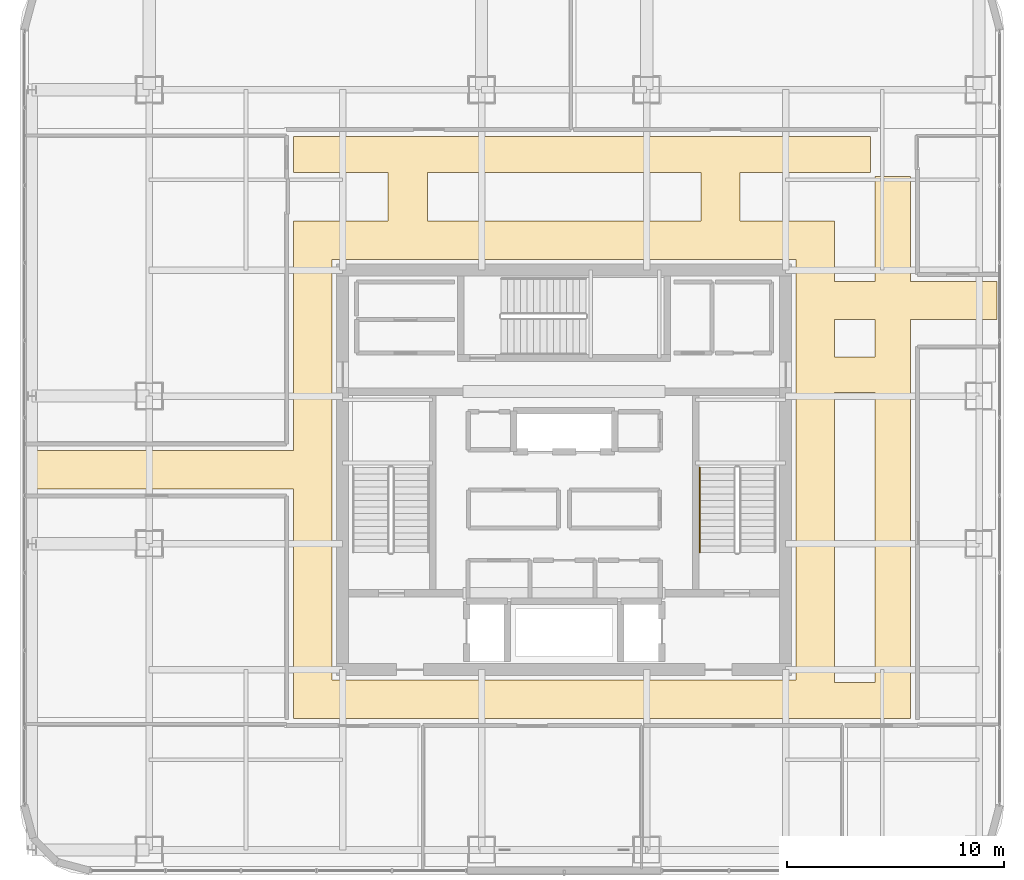
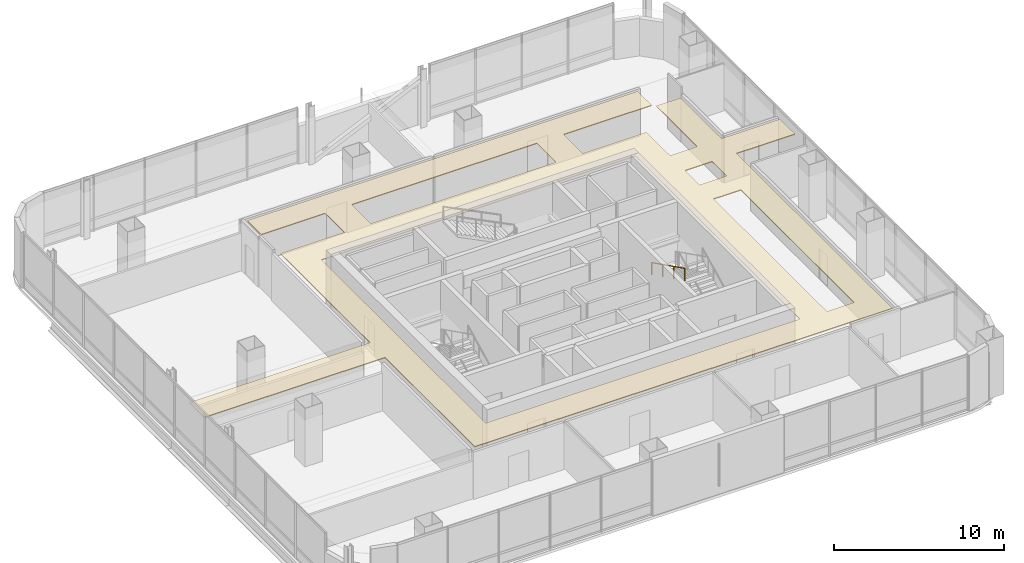
# One storey, part 39 of 43: 1 covering, 1 railing.
"""IFC4 building model written with IfcOpenShell, lengths in metres."""

import ifcopenshell
import ifcopenshell.guid

model = None  # the IFC model being written
_history = None  # IfcOwnerHistory: only IFC2X3 demands one
_inside = {}  # id of a spatial element -> (the spatial element, [elements in it])
_under = {}  # id of a project, library or spatial element -> (it, [spatial elements below it])
_declared = {}  # id of a project -> (the project, [libraries it declares])
_typed = {}  # id of a type object -> (the type object, [elements of that type])
_made_of = {}  # id of a material, layer set ... -> (it, [elements and type objects made of it])


def new_model(schema):
    """Start an empty IFC model of exactly this schema.

    Asked for "IFC4X3", IfcOpenShell would pick the latest addendum, in which some entities
    have other attributes; the version numbers below select the first issue.
    IFC2X3 requires an IfcOwnerHistory on every rooted entity: one is made here for all.
    """
    global model, _history
    if schema == "IFC4X3":
        model = ifcopenshell.file(schema_version=(4, 3, 0, 0))
    else:
        model = ifcopenshell.file(schema=schema)
    _inside.clear()
    _under.clear()
    _declared.clear()
    _typed.clear()
    _made_of.clear()
    _history = None
    if model.schema == "IFC2X3":
        org = make("IfcOrganization", Name="unknown")
        user = make(
            "IfcPersonAndOrganization",
            ThePerson=make("IfcPerson", FamilyName="unknown"),
            TheOrganization=org,
        )
        app = make(
            "IfcApplication",
            ApplicationDeveloper=org,
            Version="unknown",
            ApplicationFullName="unknown",
            ApplicationIdentifier="unknown",
        )
        _history = make(
            "IfcOwnerHistory",
            OwningUser=user,
            OwningApplication=app,
            ChangeAction="ADDED",
            CreationDate=0,
        )
    return model


def make(cls, **values):
    """One entity of the class cls with the attributes given. An attribute that is None is left unset."""
    return model.create_entity(
        cls, **{name: value for name, value in values.items() if value is not None}
    )


def rooted(cls, **values):
    """An entity with a GlobalId (a new one), such as an element, a storey or a relation."""
    return make(cls, GlobalId=ifcopenshell.guid.new(), OwnerHistory=_history, **values)


def si_unit(unit_type, name, prefix=None):
    """IfcSIUnit, for example si_unit("LENGTHUNIT", "METRE", prefix="MILLI")."""
    return make("IfcSIUnit", UnitType=unit_type, Prefix=prefix, Name=name)


def assignment(units):
    """IfcUnitAssignment: the units of a project."""
    return None if units is None else make("IfcUnitAssignment", Units=units)


def point(xyz):
    """IfcCartesianPoint."""
    return None if xyz is None else make("IfcCartesianPoint", Coordinates=xyz)


def direction(xyz):
    """IfcDirection."""
    return None if xyz is None else make("IfcDirection", DirectionRatios=xyz)


def frame(location, z_axis=None, x_axis=None):
    """IfcAxis2Placement3D, a coordinate frame: its origin and axes. An axis left out is left unset."""
    return make(
        "IfcAxis2Placement3D",
        Location=point(location),
        Axis=direction(z_axis),
        RefDirection=direction(x_axis),
    )


def frame_2d(location, x_axis=None):
    """IfcAxis2Placement2D, a coordinate frame in the plane: its origin and x axis."""
    return make(
        "IfcAxis2Placement2D", Location=point(location), RefDirection=direction(x_axis)
    )


def origin():
    """The frame at (0, 0, 0) with its axes left unset."""
    return frame((0.0, 0.0, 0.0))


def origin_2d():
    """The frame at (0, 0) in the plane with its x axis left unset."""
    return frame_2d((0.0, 0.0))


def place(relative_to, where):
    """IfcLocalPlacement: puts the frame where relative to a parent placement (None: the world)."""
    return make(
        "IfcLocalPlacement", PlacementRelTo=relative_to, RelativePlacement=where
    )


def context(
    kind, dimensions, precision=None, world=None, true_north=None, identifier=None
):
    """IfcGeometricRepresentationContext, for example the 3D "Model" context."""
    return make(
        "IfcGeometricRepresentationContext",
        ContextIdentifier=identifier,
        ContextType=kind,
        CoordinateSpaceDimension=dimensions,
        Precision=precision,
        WorldCoordinateSystem=world,
        TrueNorth=true_north,
    )


def subcontext(parent, identifier, kind, view, scale=None):
    """IfcGeometricRepresentationSubContext, for example "Body" below "Model"."""
    return make(
        "IfcGeometricRepresentationSubContext",
        ContextIdentifier=identifier,
        ContextType=kind,
        ParentContext=parent,
        TargetScale=scale,
        TargetView=view,
    )


def project(units=None, contexts=None):
    """IfcProject with its units and contexts."""
    return rooted(
        "IfcProject",
        Name="project",
        RepresentationContexts=contexts,
        UnitsInContext=assignment(units),
    )


def spatial(cls, under=None, at=None, **own):
    """A site, building, storey or space (cls), placed at a placement, below another one or the project."""
    s = rooted(cls, ObjectPlacement=at, **own)
    if under is not None:
        _under.setdefault(under.id(), (under, []))[1].append(s)
    return s


def polyline(points):
    """IfcPolyline through the points."""
    return make("IfcPolyline", Points=[point(p) for p in points])


def profile(cls, at=None, kind="AREA", **sizes):
    """A parametric profile (cls). Its sizes go by their IFC names, for example OverallWidth=200.0."""
    return make(cls, ProfileType=kind, Position=at, **sizes)


def circle(**sizes):
    """IfcCircleProfileDef."""
    return profile("IfcCircleProfileDef", **sizes)


def outline(outer, holes=None, kind="AREA"):
    """IfcArbitraryClosedProfileDef: a profile drawn as a closed curve; with holes, ...WithVoids."""
    if holes is None:
        return make("IfcArbitraryClosedProfileDef", ProfileType=kind, OuterCurve=outer)
    return make(
        "IfcArbitraryProfileDefWithVoids",
        ProfileType=kind,
        OuterCurve=outer,
        InnerCurves=holes,
    )


def extrude(swept, where, along, depth):
    """IfcExtrudedAreaSolid: the profile swept, set in the frame where, extruded along a direction by depth."""
    return make(
        "IfcExtrudedAreaSolid",
        SweptArea=swept,
        Position=where,
        ExtrudedDirection=direction(along),
        Depth=depth,
    )


def shape(context_of_items, identifier, shape_type, items):
    """IfcShapeRepresentation: the items that make up one representation, for example the "Body"."""
    return make(
        "IfcShapeRepresentation",
        ContextOfItems=context_of_items,
        RepresentationIdentifier=identifier,
        RepresentationType=shape_type,
        Items=items,
    )


def material(Name=None, Category=None):
    """IfcMaterial."""
    return make("IfcMaterial", Name=Name, Category=Category)


def layer(
    of_material, thickness, ventilated=None, Name=None, Category=None, Priority=None
):
    """IfcMaterialLayer: one layer of a wall or slab, of a material (None: an air gap)."""
    return make(
        "IfcMaterialLayer",
        Material=of_material,
        LayerThickness=thickness,
        IsVentilated=ventilated,
        Name=Name,
        Category=Category,
        Priority=Priority,
    )


def layer_set(layers, Name=None):
    """IfcMaterialLayerSet."""
    return make("IfcMaterialLayerSet", MaterialLayers=layers, LayerSetName=Name)


def made_of(thing, what):
    """Note that an element or type object is made of a material, layer set ...; save() writes the relation."""
    if what is not None:
        _made_of.setdefault(what.id(), (what, []))[1].append(thing)
    return thing


def type_object(cls, material=None, **own):
    """A type object (cls), such as IfcWallType, which elements share."""
    return made_of(rooted(cls, **own), material)


def element(
    cls,
    number,
    at=None,
    inside=None,
    cuts=None,
    type_object=None,
    material=None,
    context=None,
    identifier="Body",
    shape_type=None,
    held_by="IfcProductDefinitionShape",
    body=None,
    shapes=None,
    **own,
):
    """One element of the class cls, such as IfcWall. Its Tag is "e" and its number.

    at: its placement. inside: the storey or other place that contains it. cuts: it is an
    opening in that element (IfcRelVoidsElement). A single representation is given by context,
    identifier, shape_type and body (its items); several are given by shapes. held_by: the class
    of the entity that holds the representations. save() writes the other relations.
    """
    e = rooted(cls, Tag="e%d" % number, ObjectPlacement=at, **own)
    if body is not None:
        shapes = [shape(context, identifier, shape_type, body)]
    if shapes is not None:
        e.Representation = make(held_by, Representations=shapes)
    if inside is not None:
        _inside.setdefault(inside.id(), (inside, []))[1].append(e)
    if cuts is not None:
        rooted(
            "IfcRelVoidsElement", RelatingBuildingElement=cuts, RelatedOpeningElement=e
        )
    if type_object is not None:
        _typed.setdefault(type_object.id(), (type_object, []))[1].append(e)
    return made_of(e, material)


def aggregate(whole, parts):
    """IfcRelAggregates: a whole, such as a stair, and the parts it consists of."""
    return rooted("IfcRelAggregates", RelatingObject=whole, RelatedObjects=parts)


def save(model, path):
    """Write the relations noted so far, then the file.

    IfcRelAggregates (storeys below a building ...), IfcRelContainedInSpatialStructure (elements
    in a storey), IfcRelDefinesByType, IfcRelAssociatesMaterial and IfcRelDeclares: one each for
    every whole, place, type object, material and project.
    """
    for whole, parts in _under.values():
        aggregate(whole, parts)
    for where, things in _inside.values():
        rooted(
            "IfcRelContainedInSpatialStructure",
            RelatedElements=things,
            RelatingStructure=where,
        )
    for kind, things in _typed.values():
        rooted("IfcRelDefinesByType", RelatedObjects=things, RelatingType=kind)
    for what, things in _made_of.values():
        rooted("IfcRelAssociatesMaterial", RelatedObjects=things, RelatingMaterial=what)
    for by, libraries in _declared.values():
        rooted("IfcRelDeclares", RelatingContext=by, RelatedDefinitions=libraries)
    model.write(path)


model = new_model("IFC4")

# Units and contexts
model_context = context("Model", 3, precision=1e-05, world=origin(), true_north=direction((0.0, 1.0)))
body_context = subcontext(model_context, "Body", "Model", "MODEL_VIEW")
ifc_project = project(units=[si_unit("LENGTHUNIT", "METRE"), si_unit("AREAUNIT", "SQUARE_METRE"), si_unit("VOLUMEUNIT", "CUBIC_METRE"), si_unit("PLANEANGLEUNIT", "RADIAN"), si_unit("MASSUNIT", "GRAM", prefix="KILO")], contexts=[model_context])

# Site, building, storey
site_placement = place(None, origin())
site = spatial("IfcSite", under=ifc_project, at=site_placement, CompositionType="ELEMENT")
building_placement = place(site_placement, origin())
building = spatial("IfcBuilding", under=site, at=building_placement, Name="Punatoya Terracotta Tower", CompositionType="ELEMENT")
storey_placement = place(building_placement, frame((0.0, 0.0, 300.60009765625)))
storey = spatial("IfcBuildingStorey", under=building, at=storey_placement, Name="L71", CompositionType="ELEMENT", Elevation=300.60009765625)

# Covering
ifc_material_1 = material(Name="Acoustic Mineral Fibre Ceiling")
ifc_layer = layer(ifc_material_1, 0.06005859375)
ifc_layer_set = layer_set([ifc_layer], Name="Acoustic Mineral Fibre Ceiling")
covering_type = type_object("IfcCoveringType", Name="COV-CEIL-60", PredefinedType="CEILING", material=ifc_layer_set)
covering_placement = place(storey_placement, frame((0.0, 0.0, 3.389892578125)))
element("IfcCovering", 1, at=covering_placement, inside=storey, type_object=covering_type, Name="L71 Executive Circulation Corridor Acoustic Ceiling", PredefinedType="CEILING", context=body_context, shape_type="SweptSolid", body=[
    extrude(outline(polyline([(-12.449951171875, 13.699951171875), (-8.10009765625, 13.699951171875), (-8.10009765625, 11.449951171875), (-12.449951171875, 11.449951171875), (-12.449951171875, 0.8798828125), (-24.72998046875, 0.8798828125), (-24.72998046875, -0.8798828125), (-12.449951171875, -0.8798828125), (-12.449951171875, -11.449951171875), (15.949951171875, -11.449951171875), (15.949951171875, 6.919921875), (19.929931640625, 6.919921875), (19.929931640625, 8.679931640625), (15.949951171875, 8.679931640625), (15.949951171875, 13.5), (14.300048828125, 13.5), (14.300048828125, 8.679931640625), (12.449951171875, 8.679931640625), (12.449951171875, 11.449951171875), (8.10009765625, 11.449951171875), (8.10009765625, 13.699951171875), (14.10009765625, 13.699951171875), (14.10009765625, 15.35009765625), (-12.449951171875, 15.35009765625), (-12.449951171875, 13.699951171875)]), holes=[polyline([(12.449951171875, 3.550048828125), (14.300048828125, 3.550048828125), (14.300048828125, -9.800048828125), (12.449951171875, -9.800048828125), (12.449951171875, 3.550048828125)]), polyline([(12.449951171875, 6.919921875), (14.300048828125, 6.919921875), (14.300048828125, 5.199951171875), (12.449951171875, 5.199951171875), (12.449951171875, 6.919921875)]), polyline([(10.679931640625, 9.679931640625), (10.679931640625, -9.679931640625), (-10.679931640625, -9.679931640625), (-10.679931640625, 9.679931640625), (10.679931640625, 9.679931640625)]), polyline([(6.300048828125, 13.699951171875), (6.300048828125, 11.449951171875), (-6.300048828125, 11.449951171875), (-6.300048828125, 13.699951171875), (6.300048828125, 13.699951171875)])]), origin(), (0.0, 0.0, 1.0), 0.06005859375),
])

# Railing
ifc_material_2 = material(Name="Steel S355", Category="steel")
railing_type = type_object("IfcRailingType", Name="RLG-HND-900", PredefinedType="HANDRAIL", material=ifc_material_2)
railing_placement = place(storey_placement, frame((6.25, 0.10009765625, 2.25)))
element("IfcRailing", 2, at=railing_placement, inside=storey, type_object=railing_type, Name="L71 ST-2 stair handrail 2", PredefinedType="HANDRAIL", context=body_context, shape_type="SweptSolid", body=[
    extrude(circle(Radius=0.02392578125, at=origin_2d()), frame((0.0, 0.0, 0.8759765625), z_axis=(0.0, -0.894438388696, 0.447191199406), x_axis=(1.0, 0.0, 0.0)), (0.0, 0.0, 1.0), 4.3603515625),
    extrude(circle(Radius=0.02099609375, at=origin_2d()), origin(), (0.0, 0.0, 1.0), 0.851806640625),
    extrude(circle(Radius=0.02099609375, at=origin_2d()), frame((0.0, -1.300048828125, 0.64990234375)), (0.0, 0.0, 1.0), 0.851806640625),
    extrude(circle(Radius=0.02099609375, at=origin_2d()), frame((0.0, -2.60009765625, 1.300048828125)), (0.0, 0.0, 1.0), 0.851806640625),
    extrude(circle(Radius=0.02099609375, at=origin_2d()), frame((0.0, -3.900146484375, 1.949951171875)), (0.0, 0.0, 1.0), 0.851806640625),
])

save(model, "model.ifc")
